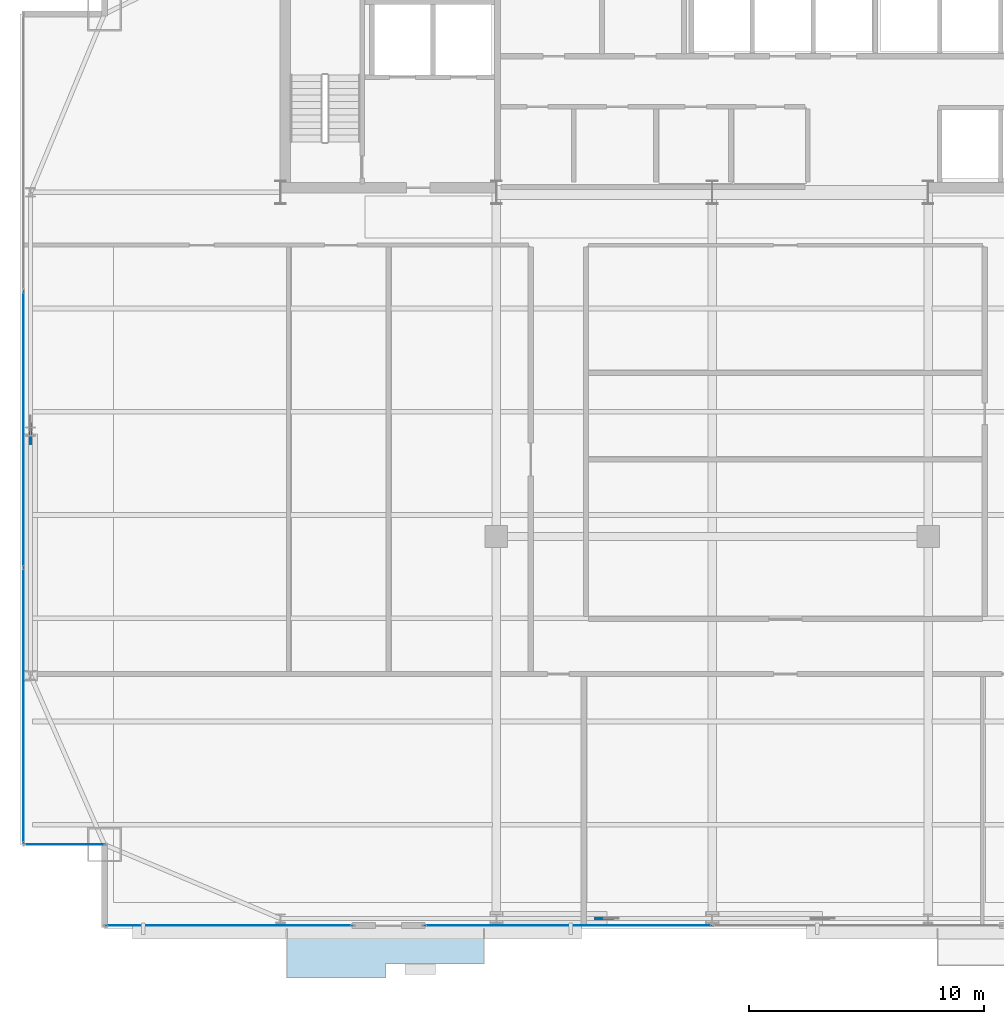
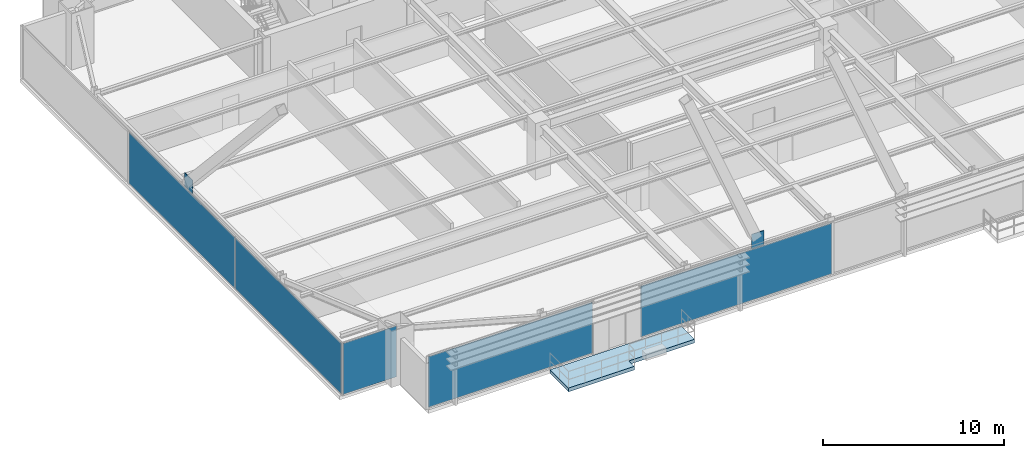
# One storey, part 27 of 37: 7 plates, 1 slab, 4 elements without a shape of their own.
"""IFC4 building model written with IfcOpenShell, lengths in metres."""

from ifc_helpers import new_model, si_unit, direction, frame, origin, origin_2d, place, context, subcontext, project, spatial, polyline, rectangle, outline, extrude, source, transform, mapped, material, layer, layer_set, type_object, type_shapes, element, aggregate, save


model = new_model("IFC4")

# Units and contexts
model_context = context("Model", 3, precision=1e-05, world=origin(), true_north=direction((0.0, 1.0)))
body_context = subcontext(model_context, "Body", "Model", "MODEL_VIEW")
ifc_project = project(units=[si_unit("LENGTHUNIT", "METRE"), si_unit("AREAUNIT", "SQUARE_METRE"), si_unit("VOLUMEUNIT", "CUBIC_METRE"), si_unit("PLANEANGLEUNIT", "RADIAN"), si_unit("MASSUNIT", "GRAM", prefix="KILO")], contexts=[model_context])

# Site, building, storey
site_placement = place(None, origin())
site = spatial("IfcSite", under=ifc_project, at=site_placement, CompositionType="ELEMENT")
building_placement = place(site_placement, origin())
building = spatial("IfcBuilding", under=site, at=building_placement, Name="Varnel Quay Broadcast Tower", CompositionType="ELEMENT")
storey_placement = place(building_placement, frame((0.0, 0.0, 125.800048828125)))
storey = spatial("IfcBuildingStorey", under=building, at=storey_placement, Name="L30", CompositionType="ELEMENT", Elevation=125.800048828125)

# Slab
ifc_material_1 = material(Name="Concrete CSA A23.3 C40/50", Category="concrete")
ifc_layer_1 = layer(ifc_material_1, 0.25, Name="Concrete CSA A23.3 C40/50")
ifc_layer_set_1 = layer_set([ifc_layer_1], Name="Concrete CSA A23.3 C40/50")
slab_type = type_object("IfcSlabType", Name="Slab_ExtTerrace250", PredefinedType="FLOOR", material=ifc_layer_set_1)
slab_placement = place(storey_placement, frame((0.0, 0.0, -0.25)))
element("IfcSlab", 1, at=slab_placement, inside=storey, type_object=slab_type, Name="L30 Planted Lobe Terrace Slab 1", PredefinedType="FLOOR", context=body_context, shape_type="SweptSolid", body=[
    extrude(outline(polyline([(15.8701171875, 2.14306640625), (20.070068359375, 2.14306640625), (20.070068359375, 2.742919921875), (24.27001953125, 2.742919921875), (24.27001953125, 4.199951171875), (15.8701171875, 4.199951171875), (15.8701171875, 2.14306640625)])), origin(), (0.0, 0.0, 1.0), 0.25),
])

# Plates
ifc_material_2 = material(Name="Structural Steel CSA G40.21 350WT", Category="steel")
ifc_layer_2 = layer(ifc_material_2, 0.0400390625, Name="Structural Steel CSA G40.21 350WT")
ifc_layer_set_2 = layer_set([ifc_layer_2], Name="Structural Steel CSA G40.21 350WT")
plate_type_1 = type_object("IfcPlateType", Name="Plate_MegaGusset", PredefinedType="USERDEFINED", material=ifc_layer_set_2)
shared_shape_1 = source(origin(), body_context, "Body", "SweptSolid", [
    extrude(rectangle(XDim=0.782958984375, YDim=0.0400390625, at=origin_2d()), origin(), (0.0, 0.0, 1.0), 1.277099609375),
])
plate_1_placement = place(storey_placement, frame((29.39990234375, 4.64990234375, 3.00146484375), z_axis=(0.0, 0.0, 1.0), x_axis=(1.0, 0.0, 0.0)))
element("IfcPlate", 2, at=plate_1_placement, inside=storey, type_object=plate_type_1, Name="Zone 2 Mega-Brace S-C1T3 Central X-Crossing Gusset Plate", ObjectType="GUSSET_PLATE", PredefinedType="USERDEFINED", context=body_context, shape_type="MappedRepresentation", body=[
    mapped(shared_shape_1, transform((0.0, 0.0, 0.0), x_axis=(1.0, 0.0, 0.0), y_axis=(0.0, 1.0, 0.0), z_axis=(0.0, 0.0, 1.0), scale=1.0)),
])
shared_shape_2 = source(origin(), body_context, "Body", "SweptSolid", [
    extrude(rectangle(XDim=0.881103515625, YDim=0.0400390625, at=origin_2d()), origin(), (0.0, 0.0, 1.0), 0.919921875),
])
type_shapes(plate_type_1, [shared_shape_1, shared_shape_2])
plate_2_placement = place(storey_placement, frame((4.949951171875, 25.300048828125, 3.179931640625), z_axis=(0.0, 0.0, 1.0), x_axis=(0.0, 1.0, 0.0)))
element("IfcPlate", 3, at=plate_2_placement, inside=storey, type_object=plate_type_1, Name="Zone 2 Mega-Brace W-FT3 Central X-Crossing Gusset Plate", ObjectType="GUSSET_PLATE", PredefinedType="USERDEFINED", context=body_context, shape_type="MappedRepresentation", body=[
    mapped(shared_shape_2, transform((0.0, 0.0, 0.0), x_axis=(1.0, 0.0, 0.0), y_axis=(0.0, 1.0, 0.0), z_axis=(0.0, 0.0, 1.0), scale=1.0)),
])

# Curtain wall, plate
ifc_material_3 = material(Name="Anodised Bronze Aluminium 6063-T6", Category="aluminium")
ifc_layer_3 = layer(ifc_material_3, 0.18994140625, Name="Anodised Bronze Aluminium 6063-T6")
ifc_layer_set_3 = layer_set([ifc_layer_3], Name="Anodised Bronze Aluminium 6063-T6")
curtain_wall_type_1 = type_object("IfcCurtainWallType", Name="CW_LowerTower", PredefinedType="NOTDEFINED", material=ifc_layer_set_3)
curtain_wall_1_placement = place(storey_placement, origin())
curtain_wall_1 = element("IfcCurtainWall", 4, at=curtain_wall_1_placement, inside=storey, type_object=curtain_wall_type_1, Name="L30 West Unitised Curtain Wall", PredefinedType="NOTDEFINED")
ifc_material_4 = material(Name="Insulated Bronze Spandrel Glass", Category="glass")
ifc_layer_4 = layer(ifc_material_4, 0.031982421875, Name="Insulated Bronze Spandrel Glass")
ifc_layer_set_4 = layer_set([ifc_layer_4], Name="Insulated Bronze Spandrel Glass")
plate_type_2 = type_object("IfcPlateType", Name="PanelSp_CWS-02", PredefinedType="CURTAIN_PANEL", material=ifc_layer_set_4)
shared_shape_3 = source(origin(), body_context, "Body", "SweptSolid", [
    extrude(rectangle(XDim=11.72998046875, YDim=0.031982421875, at=origin_2d()), origin(), (0.0, 0.0, 1.0), 3.429931640625),
])
plate_3_placement = place(storey_placement, frame((4.64990234375, 25.5, 0.06005859375), z_axis=(0.0, 0.0, 1.0), x_axis=(0.0, 1.0, 0.0)))
plate_3 = element("IfcPlate", 5, at=plate_3_placement, type_object=plate_type_2, Name="CWS-02 panel 2.1", PredefinedType="CURTAIN_PANEL", context=body_context, shape_type="MappedRepresentation", body=[
    mapped(shared_shape_3, transform((0.0, 0.0, 0.0), x_axis=(1.0, 0.0, 0.0), y_axis=(0.0, 1.0, 0.0), z_axis=(0.0, 0.0, 1.0), scale=1.0)),
])

ifc_layer_5 = layer(ifc_material_3, 0.18994140625, Name="Anodised Bronze Aluminium 6063-T6")
ifc_layer_set_5 = layer_set([ifc_layer_5], Name="Anodised Bronze Aluminium 6063-T6")
curtain_wall_type_2 = type_object("IfcCurtainWallType", Name="CW_NotchCorner", PredefinedType="NOTDEFINED", material=ifc_layer_set_5)
curtain_wall_2_placement = place(storey_placement, origin())
curtain_wall_2 = element("IfcCurtainWall", 6, at=curtain_wall_2_placement, inside=storey, type_object=curtain_wall_type_2, Name="L30 SW Notch Curtain Wall", PredefinedType="NOTDEFINED")
ifc_material_5 = material(Name="Triple-Glazed Bronze Low-E Architectural Glass", Category="glass")
ifc_layer_6 = layer(ifc_material_5, 0.028076171875, Name="Triple-Glazed Bronze Low-E Architectural Glass")
ifc_layer_set_6 = layer_set([ifc_layer_6], Name="Triple-Glazed Bronze Low-E Architectural Glass")
plate_type_3 = type_object("IfcPlateType", Name="Panel_CWS-04", PredefinedType="CURTAIN_PANEL", material=ifc_layer_set_6)
shared_shape_4 = source(origin(), body_context, "Body", "SweptSolid", [
    extrude(rectangle(XDim=3.409912109375, YDim=0.028076171875, at=origin_2d()), origin(), (0.0, 0.0, 1.0), 3.43994140625),
])
type_shapes(plate_type_3, [shared_shape_4])
plate_4_placement = place(storey_placement, frame((6.4150390625, 7.800048828125, 0.054931640625), z_axis=(0.0, 0.0, 1.0), x_axis=(1.0, 0.0, 0.0)))
plate_4 = element("IfcPlate", 7, at=plate_4_placement, type_object=plate_type_3, Name="CWS-04 panel 1.1", PredefinedType="CURTAIN_PANEL", context=body_context, shape_type="MappedRepresentation", body=[
    mapped(shared_shape_4, transform((0.0, 0.0, 0.0), x_axis=(1.0, 0.0, 0.0), y_axis=(0.0, 1.0, 0.0), z_axis=(0.0, 0.0, 1.0), scale=1.0)),
])
aggregate(curtain_wall_2, [plate_4])

curtain_wall_3_placement = place(storey_placement, origin())
curtain_wall_3 = element("IfcCurtainWall", 8, at=curtain_wall_3_placement, inside=storey, type_object=curtain_wall_type_1, Name="L30 South Unitised Curtain Wall 1", PredefinedType="NOTDEFINED")
ifc_layer_7 = layer(ifc_material_5, 0.031982421875, Name="Triple-Glazed Bronze Low-E Architectural Glass")
ifc_layer_set_7 = layer_set([ifc_layer_7], Name="Triple-Glazed Bronze Low-E Architectural Glass")
plate_type_4 = type_object("IfcPlateType", Name="Panel_CWS-02", PredefinedType="CURTAIN_PANEL", material=ifc_layer_set_7)
shared_shape_5 = source(origin(), body_context, "Body", "SweptSolid", [
    extrude(rectangle(XDim=10.47998046875, YDim=0.031982421875, at=origin_2d()), origin(), (0.0, 0.0, 1.0), 3.429931640625),
])
plate_5_placement = place(storey_placement, frame((13.409912109375, 4.35009765625, 0.06005859375), z_axis=(0.0, 0.0, 1.0), x_axis=(1.0, 0.0, 0.0)))
plate_5 = element("IfcPlate", 9, at=plate_5_placement, type_object=plate_type_4, Name="CWS-02 panel 1.1", PredefinedType="CURTAIN_PANEL", context=body_context, shape_type="MappedRepresentation", body=[
    mapped(shared_shape_5, transform((0.0, 0.0, 0.0), x_axis=(1.0, 0.0, 0.0), y_axis=(0.0, 1.0, 0.0), z_axis=(0.0, 0.0, 1.0), scale=1.0)),
])
aggregate(curtain_wall_3, [plate_5])

curtain_wall_4_placement = place(storey_placement, origin())
curtain_wall_4 = element("IfcCurtainWall", 10, at=curtain_wall_4_placement, inside=storey, type_object=curtain_wall_type_1, Name="L30 South Unitised Curtain Wall 2", PredefinedType="NOTDEFINED")
shared_shape_6 = source(origin(), body_context, "Body", "SweptSolid", [
    extrude(rectangle(XDim=12.215087890625, YDim=0.031982421875, at=origin_2d()), origin(), (0.0, 0.0, 1.0), 3.429931640625),
])
type_shapes(plate_type_2, [shared_shape_3, shared_shape_6])
plate_6_placement = place(storey_placement, frame((27.857421875, 4.35009765625, 0.06005859375), z_axis=(0.0, 0.0, 1.0), x_axis=(1.0, 0.0, 0.0)))
plate_6 = element("IfcPlate", 11, at=plate_6_placement, type_object=plate_type_2, Name="CWS-02 panel 1.1", PredefinedType="CURTAIN_PANEL", context=body_context, shape_type="MappedRepresentation", body=[
    mapped(shared_shape_6, transform((0.0, 0.0, 0.0), x_axis=(1.0, 0.0, 0.0), y_axis=(0.0, 1.0, 0.0), z_axis=(0.0, 0.0, 1.0), scale=1.0)),
])
aggregate(curtain_wall_4, [plate_6])

# Plate
shared_shape_7 = source(origin(), body_context, "Body", "SweptSolid", [
    extrude(rectangle(XDim=11.695068359375, YDim=0.031982421875, at=origin_2d()), origin(), (0.0, 0.0, 1.0), 3.429931640625),
])
type_shapes(plate_type_4, [shared_shape_5, shared_shape_7])
plate_7_placement = place(storey_placement, frame((4.64990234375, 13.717529296875, 0.06005859375), z_axis=(0.0, 0.0, 1.0), x_axis=(0.0, 1.0, 0.0)))
plate_7 = element("IfcPlate", 12, at=plate_7_placement, type_object=plate_type_4, Name="CWS-02 panel 1.1", PredefinedType="CURTAIN_PANEL", context=body_context, shape_type="MappedRepresentation", body=[
    mapped(shared_shape_7, transform((0.0, 0.0, 0.0), x_axis=(1.0, 0.0, 0.0), y_axis=(0.0, 1.0, 0.0), z_axis=(0.0, 0.0, 1.0), scale=1.0)),
])

aggregate(curtain_wall_1, [plate_7, plate_3])

save(model, "model.ifc")
